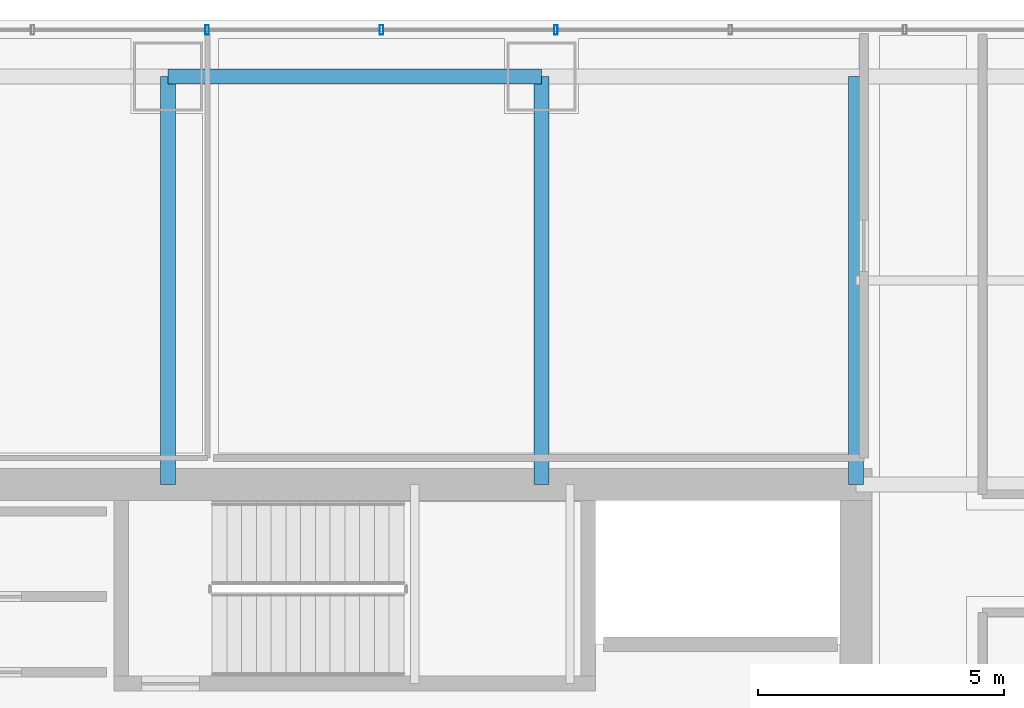
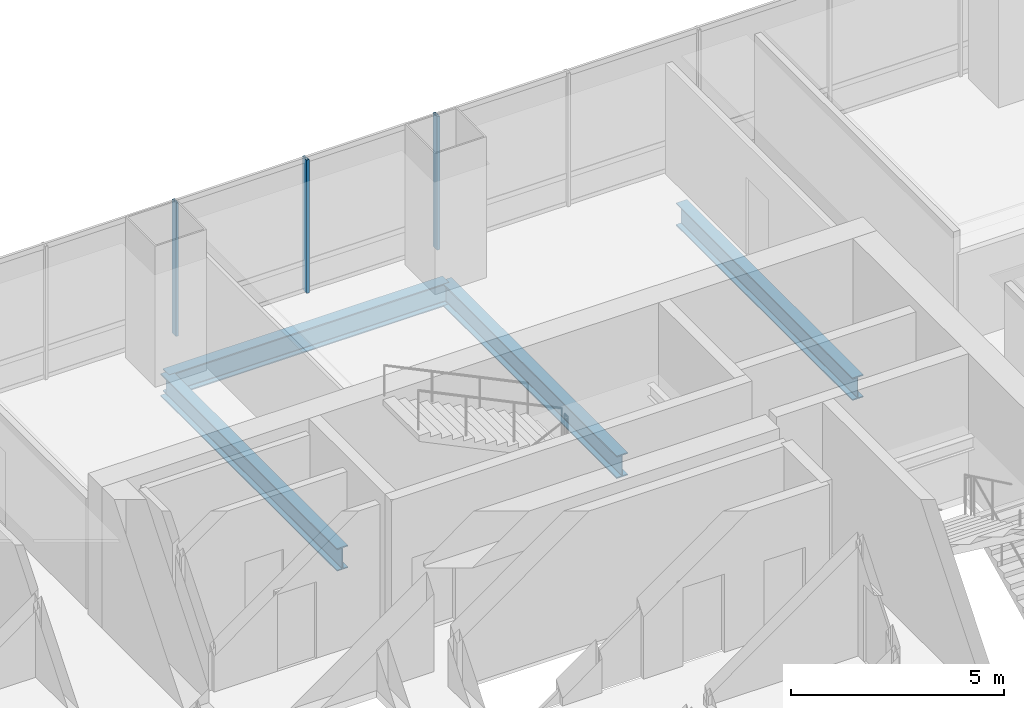
# One storey, part 23 of 37: 4 beams, 3 members, 1 element without a shape of its own.
"""IFC4 building model written with IfcOpenShell, lengths in metres."""

from ifc_helpers import new_model, si_unit, direction, frame, origin, origin_2d, place, context, subcontext, project, spatial, hollow_rectangle, i_section, extrude, material, material_profile, profile_set, type_object, element, aggregate, save


model = new_model("IFC4")

# Units and contexts
model_context = context("Model", 3, precision=1e-05, world=origin(), true_north=direction((0.0, 1.0)))
body_context = subcontext(model_context, "Body", "Model", "MODEL_VIEW")
ifc_project = project(units=[si_unit("LENGTHUNIT", "METRE"), si_unit("AREAUNIT", "SQUARE_METRE"), si_unit("VOLUMEUNIT", "CUBIC_METRE"), si_unit("PLANEANGLEUNIT", "RADIAN"), si_unit("MASSUNIT", "GRAM", prefix="KILO")], contexts=[model_context])

# Site, building, storey
site_placement = place(None, origin())
site = spatial("IfcSite", under=ifc_project, at=site_placement, CompositionType="ELEMENT")
building_placement = place(site_placement, origin())
building = spatial("IfcBuilding", under=site, at=building_placement, Name="Punatoya Terracotta Tower", CompositionType="ELEMENT")
storey_placement = place(building_placement, frame((0.0, 0.0, 224.85009765625)))
storey = spatial("IfcBuildingStorey", under=building, at=storey_placement, Name="L53", CompositionType="ELEMENT", Elevation=224.85009765625)

# Beams
ifc_material_1 = material(Name="Steel S355", Category="steel")
ifc_material_profile_1 = material_profile(ifc_material_1, i_section(OverallWidth=0.300048828125, OverallDepth=0.64990234375, WebThickness=0.01611328125, FlangeThickness=0.031005859375, FilletRadius=0.01806640625, at=origin_2d()))
ifc_profile_set_1 = profile_set([ifc_material_profile_1], Name="Steel S355")
beam_type = type_object("IfcBeamType", Name="BM-PRI-650", PredefinedType="BEAM", material=ifc_profile_set_1)
beam_placement = place(storey_placement, frame((-3.800048828125, 17.5, -0.545166015625), z_axis=(1.0, 0.0, 0.0), x_axis=(0.0, 1.0, 0.0)))
element("IfcBeam", 1, at=beam_placement, inside=storey, type_object=beam_type, Name="BM-L53-RG-N2", PredefinedType="BEAM", context=body_context, shape_type="SweptSolid", body=[
    extrude(i_section(OverallWidth=0.300048828125, OverallDepth=0.64990234375, WebThickness=0.01611328125, FlangeThickness=0.031005859375, FilletRadius=0.01806640625, at=origin_2d()), origin(), (0.0, 0.0, 1.0), 7.60009765625),
])
for number, where, z_axis, x_axis, name in (
    (2, (-3.800048828125, 9.199951171875, -0.545166015625), (0.0, 1.0, 0.0), (-1.0, 0.0, 0.0), "BM-L53-PR-N2"),
    (3, (3.800048828125, 9.199951171875, -0.545166015625), (0.0, 1.0, 0.0), (-1.0, 0.0, 0.0), "BM-L53-PR-N3"),
    (4, (10.199951171875, 9.199951171875, -0.545166015625), (0.0, 1.0, 0.0), (-1.0, 0.0, 0.0), "BM-L53-PR-N4"),
):
    element("IfcBeam", number, at=place(storey_placement, frame(where, z_axis=z_axis, x_axis=x_axis)), inside=storey, type_object=beam_type, Name=name, PredefinedType="BEAM", context=body_context, shape_type="SweptSolid", body=[
        extrude(i_section(OverallWidth=0.300048828125, OverallDepth=0.64990234375, WebThickness=0.01611328125, FlangeThickness=0.031005859375, FilletRadius=0.01806640625, at=origin_2d()), origin(), (0.0, 0.0, 1.0), 8.300048828125),
    ])

# Curtain wall, members
ifc_material_2 = material(Name="Aluminium 6063-T6 + Double Low-E Glass", Category="aluminium")
curtain_wall_type = type_object("IfcCurtainWallType", Name="CW-M2", PredefinedType="NOTDEFINED", material=ifc_material_2)
curtain_wall_placement = place(storey_placement, origin())
curtain_wall = element("IfcCurtainWall", 5, at=curtain_wall_placement, inside=storey, type_object=curtain_wall_type, Name="L53 Curtain Wall CW-L53-N08-1", PredefinedType="NOTDEFINED")
ifc_material_3 = material(Name="Aluminium 6063-T6", Category="aluminium")
ifc_material_profile_2 = material_profile(ifc_material_3, hollow_rectangle(XDim=0.072021484375, YDim=0.195068359375, WallThickness=0.00439453125, at=origin_2d()))
ifc_profile_set_2 = profile_set([ifc_material_profile_2], Name="Aluminium 6063-T6")
member_type = type_object("IfcMemberType", Name="CW-MUL-M2", PredefinedType="MULLION", material=ifc_profile_set_2)
member_1_placement = place(storey_placement, frame((4.093505859375, 18.449951171875, 0.0), z_axis=(0.0, 0.0, 1.0), x_axis=(1.0, 0.0, 0.0)))
member_1 = element("IfcMember", 6, at=member_1_placement, type_object=member_type, Name="CW-L53-N08-1 Mullion 05", PredefinedType="MULLION", context=body_context, shape_type="SweptSolid", body=[
    extrude(hollow_rectangle(XDim=0.072021484375, YDim=0.195068359375, WallThickness=0.00439453125, at=origin_2d()), origin(), (0.0, 0.0, 1.0), 3.829833984375),
])
member_2_placement = place(storey_placement, frame((0.544921875, 18.449951171875, 0.0), z_axis=(0.0, 0.0, 1.0), x_axis=(1.0, 0.0, 0.0)))
member_2 = element("IfcMember", 7, at=member_2_placement, type_object=member_type, Name="CW-L53-N08-1 Mullion 06", PredefinedType="MULLION", context=body_context, shape_type="SweptSolid", body=[
    extrude(hollow_rectangle(XDim=0.072021484375, YDim=0.195068359375, WallThickness=0.00439453125, at=origin_2d()), origin(), (0.0, 0.0, 1.0), 3.829833984375),
])
member_3_placement = place(storey_placement, frame((-3.00390625, 18.449951171875, 0.0), z_axis=(0.0, 0.0, 1.0), x_axis=(1.0, 0.0, 0.0)))
member_3 = element("IfcMember", 8, at=member_3_placement, type_object=member_type, Name="CW-L53-N08-1 Mullion 07", PredefinedType="MULLION", context=body_context, shape_type="SweptSolid", body=[
    extrude(hollow_rectangle(XDim=0.072021484375, YDim=0.195068359375, WallThickness=0.00439453125, at=origin_2d()), origin(), (0.0, 0.0, 1.0), 3.829833984375),
])
aggregate(curtain_wall, [member_1, member_2, member_3])

save(model, "model.ifc")
